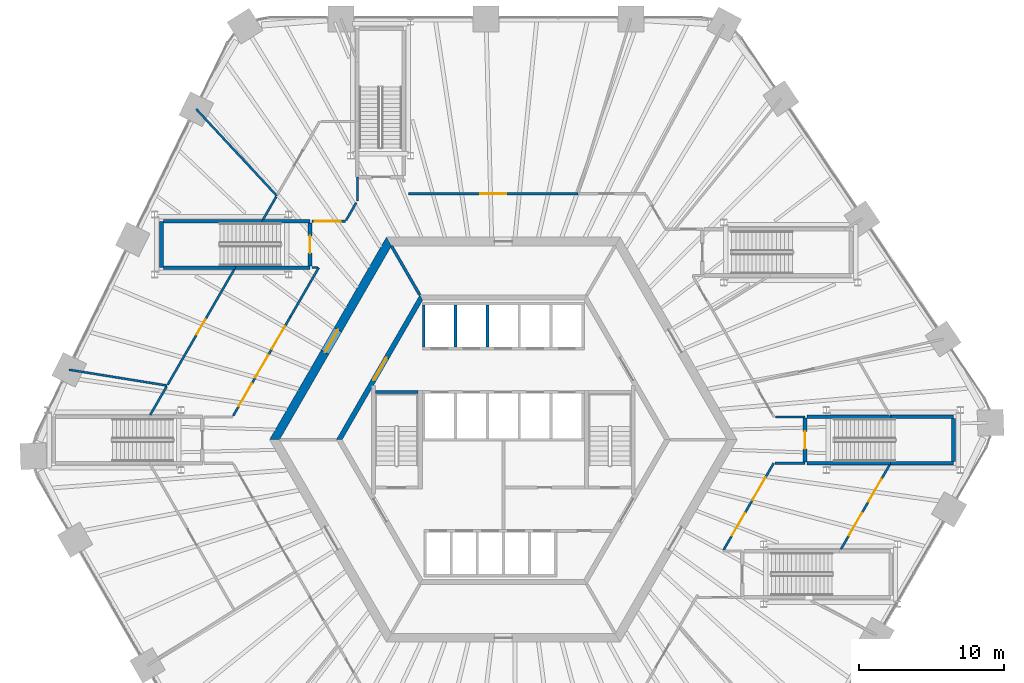
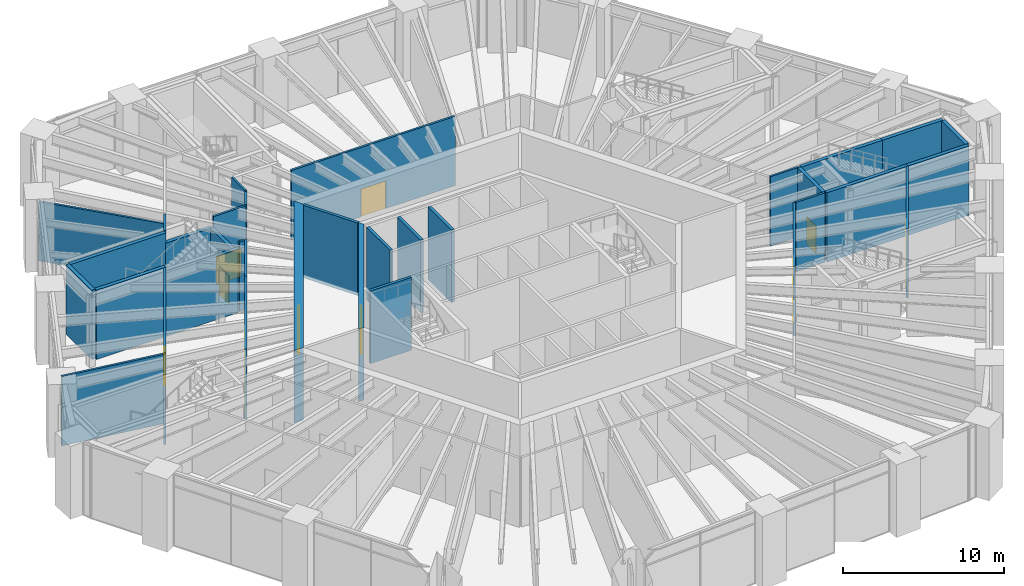
# One storey, part 23 of 30: 35 walls, 14 doors, 14 openings.
"""IFC4 building model written with IfcOpenShell, lengths in metres."""

from ifc_helpers import new_model, si_unit, direction, frame, frame_2d, origin, place, context, subcontext, project, spatial, polyline, rectangle, outline, extrude, material, layer, layer_set, type_object, element, fill, save


model = new_model("IFC4")

# Units and contexts
model_context = context("Model", 3, precision=1e-05, world=origin(), true_north=direction((0.0, 1.0)))
body_context = subcontext(model_context, "Body", "Model", "MODEL_VIEW")
ifc_project = project(units=[si_unit("LENGTHUNIT", "METRE"), si_unit("AREAUNIT", "SQUARE_METRE"), si_unit("VOLUMEUNIT", "CUBIC_METRE"), si_unit("PLANEANGLEUNIT", "RADIAN"), si_unit("MASSUNIT", "GRAM", prefix="KILO")], contexts=[model_context])

# Site, building, storey
site_placement = place(None, origin())
site = spatial("IfcSite", under=ifc_project, at=site_placement, CompositionType="ELEMENT")
building_placement = place(site_placement, origin())
building = spatial("IfcBuilding", under=site, at=building_placement, Name="Tarnside Tower", CompositionType="ELEMENT")
storey_placement = place(building_placement, frame((0.0, 0.0, 20.5)))
storey = spatial("IfcBuildingStorey", under=building, at=storey_placement, Name="L03", CompositionType="ELEMENT", Elevation=20.5)

# Wall, opening, door
ifc_material_1 = material(Name="Concrete C50/60", Category="concrete")
ifc_layer_1 = layer(ifc_material_1, 0.35009765625)
ifc_layer_set_1 = layer_set([ifc_layer_1], Name="Core block wall 350 C50/60")
wall_type_1 = type_object("IfcWallType", Name="Core block wall 350 C50/60", PredefinedType="SHEAR", material=ifc_layer_set_1)
wall_1_placement = place(storey_placement, frame((-5.672607421875, 9.824951171875, -0.25), z_axis=(0.0, 0.0, 1.0), x_axis=(-0.499995046907, -0.866028263435, 0.0)))
wall_1 = element("IfcWall", 1, at=wall_1_placement, inside=storey, type_object=wall_type_1, Name="L03 core block wall face 2", PredefinedType="SHEAR", context=body_context, shape_type="SweptSolid", body=[
    extrude(outline(polyline([(-0.10107421875, -0.175048828125), (11.44580078125, -0.175048828125), (11.24365234375, 0.175048828125), (0.10107421875, 0.175048828125), (-0.10107421875, -0.175048828125)])), origin(), (0.0, 0.0, 1.0), 5.5),
])
opening_1_placement = place(wall_1_placement, frame((4.80126953125, 0.0, 0.25)))
opening_1 = element("IfcOpeningElement", 2, at=opening_1_placement, cuts=wall_1, Name="Opening CD-LOB", PredefinedType="OPENING", context=body_context, shape_type="SweptSolid", body=[
    extrude(rectangle(XDim=1.800048828125, YDim=2.39990234375, at=frame_2d((0.89990234375, 1.199951171875))), frame((0.0, 0.18505859375, 0.0), z_axis=(0.0, -1.0, 0.0), x_axis=(1.0, 0.0, 0.0)), (0.0, 0.0, 1.0), 0.3701171875),
])
ifc_material_2 = material(Name="Steel fire door", Category="steel")
door_type_1 = type_object("IfcDoorType", Name="Lobby double door FD30S 1800x2400", OperationType="NOTDEFINED", PredefinedType="DOOR", material=ifc_material_2)
door_1_placement = place(opening_1_placement, origin())
door_1 = element("IfcDoor", 3, at=door_1_placement, inside=storey, type_object=door_type_1, Name="L03 lobby block door P1", OperationType="DOUBLE_DOOR_SINGLE_SWING", OverallHeight=2.39990234375, OverallWidth=1.800048828125, PredefinedType="DOOR", context=body_context, shape_type="SweptSolid", body=[
    extrude(rectangle(XDim=1.800048828125, YDim=2.39990234375, at=frame_2d((0.89990234375, 1.199951171875))), frame((0.0, 0.02490234375, 0.0), z_axis=(0.0, -1.0, 0.0), x_axis=(1.0, 0.0, 0.0)), (0.0, 0.0, 1.0), 0.050048828125),
])
fill(opening_1, door_1)

ifc_material_3 = material(Name="Concrete C80/95", Category="concrete")
ifc_layer_2 = layer(ifc_material_3, 0.60009765625)
ifc_layer_set_2 = layer_set([ifc_layer_2], Name="Core wall Z1 600 C80/95")
wall_type_2 = type_object("IfcWallType", Name="Core wall Z1 600 C80/95", PredefinedType="SHEAR", material=ifc_layer_set_2)
wall_2_placement = place(storey_placement, frame((-7.90966796875, 13.699951171875, -0.25), z_axis=(0.0, 0.0, 1.0), x_axis=(-0.499999880136, -0.866025472988, 0.0)))
wall_2 = element("IfcWall", 4, at=wall_2_placement, inside=storey, type_object=wall_type_2, Name="L03 core wall face 2", PredefinedType="SHEAR", context=body_context, shape_type="SweptSolid", body=[
    extrude(outline(polyline([(-0.17333984375, -0.300048828125), (15.99267578125, -0.300048828125), (15.64599609375, 0.300048828125), (0.17333984375, 0.300048828125), (-0.17333984375, -0.300048828125)])), origin(), (0.0, 0.0, 1.0), 5.5),
])
opening_2_placement = place(wall_2_placement, frame((7.03857421875, 0.0, 0.25)))
opening_2 = element("IfcOpeningElement", 5, at=opening_2_placement, cuts=wall_2, Name="Opening CD-LOB", PredefinedType="OPENING", context=body_context, shape_type="SweptSolid", body=[
    extrude(rectangle(XDim=1.800048828125, YDim=2.39990234375, at=frame_2d((0.89990234375, 1.199951171875))), frame((0.0, 0.31005859375, 0.0), z_axis=(0.0, -1.0, 0.0), x_axis=(1.0, 0.0, 0.0)), (0.0, 0.0, 1.0), 0.6201171875),
])
door_2_placement = place(opening_2_placement, origin())
door_2 = element("IfcDoor", 6, at=door_2_placement, inside=storey, type_object=door_type_1, Name="L03 core door P1", OperationType="DOUBLE_DOOR_SINGLE_SWING", OverallHeight=2.39990234375, OverallWidth=1.800048828125, PredefinedType="DOOR", context=body_context, shape_type="SweptSolid", body=[
    extrude(rectangle(XDim=1.800048828125, YDim=2.39990234375, at=frame_2d((0.89990234375, 1.199951171875))), frame((0.0, 0.02490234375, 0.0), z_axis=(0.0, -1.0, 0.0), x_axis=(1.0, 0.0, 0.0)), (0.0, 0.0, 1.0), 0.050048828125),
])
fill(opening_2, door_2)

# Walls
ifc_material_4 = material(Name="Concrete C40/50", Category="concrete")
ifc_layer_3 = layer(ifc_material_4, 0.199951171875)
ifc_layer_set_3 = layer_set([ifc_layer_3], Name="Lift shaft wall 200 C40/50")
wall_type_3 = type_object("IfcWallType", Name="Lift shaft wall 200 C40/50", PredefinedType="SHEAR", material=ifc_layer_set_3)
for number, where, z_axis, x_axis, name in (
    (7, (-5.5, 6.39990234375, -0.25), (0.0, 0.0, 1.0), (0.0, 1.0, 0.0), "L03 lift shaft partition R11"),
    (8, (-3.300048828125, 6.39990234375, -0.25), (0.0, 0.0, 1.0), (0.0, 1.0, 0.0), "L03 lift shaft partition R12"),
    (9, (-1.10009765625, 6.39990234375, -0.25), (0.0, 0.0, 1.0), (0.0, 1.0, 0.0), "L03 lift shaft partition R13"),
):
    element("IfcWall", number, at=place(storey_placement, frame(where, z_axis=z_axis, x_axis=x_axis)), inside=storey, type_object=wall_type_3, Name=name, PredefinedType="SHEAR", context=body_context, shape_type="SweptSolid", body=[
        extrude(rectangle(XDim=2.900146484375, YDim=0.199951171875, at=frame_2d((1.4501953125, 0.0))), origin(), (0.0, 0.0, 1.0), 5.5),
    ])
wall_3_placement = place(storey_placement, frame((-5.7734375, 10.0, -0.25), z_axis=(0.0, 0.0, 1.0), x_axis=(-0.500038251005, 0.86600331843, 0.0)))
element("IfcWall", 10, at=wall_3_placement, inside=storey, type_object=wall_type_3, Name="L03 core partition AR120", PredefinedType="SHEAR", context=body_context, shape_type="SweptSolid", body=[
    extrude(rectangle(XDim=3.926025390625, YDim=0.199951171875, at=frame_2d((1.962890625, 0.0))), origin(), (0.0, 0.0, 1.0), 5.5),
])
wall_4_placement = place(storey_placement, frame((-8.85009765625, 3.300048828125, -0.25), z_axis=(0.0, 0.0, 1.0), x_axis=(1.0, 0.0, 0.0)))
element("IfcWall", 11, at=wall_4_placement, inside=storey, type_object=wall_type_3, Name="L03 stair 2 enclosure cap wall n", PredefinedType="SHEAR", context=body_context, shape_type="SweptSolid", body=[
    extrude(rectangle(XDim=2.9501953125, YDim=0.199951171875, at=frame_2d((1.47509765625, 0.0))), origin(), (0.0, 0.0, 1.0), 5.5),
])
ifc_material_5 = material(Name="Gypsum board")
ifc_layer_4 = layer(ifc_material_5, 0.14990234375)
ifc_layer_set_4 = layer_set([ifc_layer_4], Name="Partition 150 gypsum board on metal stud")
wall_type_4 = type_object("IfcWallType", Name="Partition 150 gypsum board on metal stud", PredefinedType="PARTITIONING", material=ifc_layer_set_4)
wall_5_placement = place(storey_placement, frame((-30.01806640625, 4.8359375, 0.0), z_axis=(0.0, 0.0, 1.0), x_axis=(0.987261315122, -0.159107182941, 0.0)))
element("IfcWall", 12, at=wall_5_placement, inside=storey, type_object=wall_type_4, Name="Partition 002", PredefinedType="PARTITIONING", context=body_context, shape_type="SweptSolid", body=[
    extrude(rectangle(XDim=6.863525390625, YDim=0.14990234375, at=frame_2d((3.431640625, 0.0))), origin(), (0.0, 0.0, 1.0), 5.25),
])
wall_6_placement = place(storey_placement, frame((-23.2822265625, 3.674560546875, 0.0), z_axis=(0.0, 0.0, 1.0), x_axis=(-0.49987077196, -0.866100000774, 0.0)))
element("IfcWall", 13, at=wall_6_placement, inside=storey, type_object=wall_type_4, Name="Partition 009", PredefinedType="PARTITIONING", context=body_context, shape_type="SweptSolid", body=[
    extrude(rectangle(XDim=2.27978515625, YDim=0.14990234375, at=frame_2d((1.139892578125, 0.0))), origin(), (0.0, 0.0, 1.0), 5.25),
])
wall_7_placement = place(storey_placement, frame((-21.22998046875, 22.85400390625, 0.0), z_axis=(0.0, 0.0, 1.0), x_axis=(0.680630925451, -0.732626469164, 0.0)))
element("IfcWall", 14, at=wall_7_placement, inside=storey, type_object=wall_type_4, Name="Partition 010", PredefinedType="PARTITIONING", context=body_context, shape_type="SweptSolid", body=[
    extrude(rectangle(XDim=8.1748046875, YDim=0.14990234375, at=frame_2d((4.08740234375, 0.0))), origin(), (0.0, 0.0, 1.0), 4.48779296875),
])

# Wall, opening, door
wall_8_placement = place(storey_placement, frame((-23.201904296875, 3.8134765625, 0.0), z_axis=(0.0, 0.0, 1.0), x_axis=(0.500012104326, 0.866018415236, 0.0)))
wall_8 = element("IfcWall", 15, at=wall_8_placement, inside=storey, type_object=wall_type_4, Name="Partition 018", PredefinedType="PARTITIONING", context=body_context, shape_type="SweptSolid", body=[
    extrude(rectangle(XDim=9.193115234375, YDim=0.14990234375, at=frame_2d((4.5966796875, 0.0))), origin(), (0.0, 0.0, 1.0), 5.25),
])
opening_3_placement = place(wall_8_placement, frame((3.99658203125, 0.0, 0.0)))
opening_3 = element("IfcOpeningElement", 16, at=opening_3_placement, cuts=wall_8, Name="Opening D1200F30", PredefinedType="OPENING", context=body_context, shape_type="SweptSolid", body=[
    extrude(rectangle(XDim=1.199951171875, YDim=2.10009765625, at=frame_2d((0.60009765625, 1.050048828125))), frame((0.0, 0.0849609375, 0.0), z_axis=(0.0, -1.0, 0.0), x_axis=(1.0, 0.0, 0.0)), (0.0, 0.0, 1.0), 0.169921875),
])
ifc_material_6 = material(Name="Timber door leaf", Category="wood")
door_type_2 = type_object("IfcDoorType", Name="Door 1200 x 2100 single leaf FD30S fire door", OperationType="NOTDEFINED", PredefinedType="DOOR", material=ifc_material_6)
door_3_placement = place(opening_3_placement, origin())
door_3 = element("IfcDoor", 17, at=door_3_placement, inside=storey, type_object=door_type_2, Name="Door L03-06", OperationType="SINGLE_SWING_LEFT", OverallHeight=2.10009765625, OverallWidth=1.199951171875, PredefinedType="DOOR", context=body_context, shape_type="SweptSolid", body=[
    extrude(rectangle(XDim=1.199951171875, YDim=2.10009765625, at=frame_2d((0.60009765625, 1.050048828125))), frame((0.0, 0.02490234375, 0.0), z_axis=(0.0, -1.0, 0.0), x_axis=(1.0, 0.0, 0.0)), (0.0, 0.0, 1.0), 0.050048828125),
])
fill(opening_3, door_3)

# Wall
wall_9_placement = place(storey_placement, frame((-15.705322265625, 16.797119140625, 0.0), z_axis=(0.0, 0.0, 1.0), x_axis=(-0.499943671218, -0.86605792278, 0.0)))
element("IfcWall", 18, at=wall_9_placement, inside=storey, type_object=wall_type_4, Name="Partition 022", PredefinedType="PARTITIONING", context=body_context, shape_type="SweptSolid", body=[
    extrude(rectangle(XDim=1.815185546875, YDim=0.14990234375, at=frame_2d((0.90771484375, 0.0))), origin(), (0.0, 0.0, 1.0), 5.25),
])

# Wall, openings, doors
wall_10_placement = place(storey_placement, frame((-14.721923828125, 8.5, 0.0), z_axis=(0.0, 0.0, 1.0), x_axis=(-0.500085786821, -0.865975869075, 0.0)))
wall_10 = element("IfcWall", 19, at=wall_10_placement, inside=storey, type_object=wall_type_4, Name="Partition 023", PredefinedType="PARTITIONING", context=body_context, shape_type="SweptSolid", body=[
    extrude(rectangle(XDim=7.91015625, YDim=0.14990234375, at=frame_2d((3.955078125, 0.0))), origin(), (0.0, 0.0, 1.0), 5.25),
])
opening_4_placement = place(wall_10_placement, frame((0.77099609375, 0.0, 0.0)))
opening_4 = element("IfcOpeningElement", 20, at=opening_4_placement, cuts=wall_10, Name="Opening D1800F30", PredefinedType="OPENING", context=body_context, shape_type="SweptSolid", body=[
    extrude(rectangle(XDim=1.800048828125, YDim=2.10009765625, at=frame_2d((0.89990234375, 1.050048828125))), frame((0.0, 0.0849609375, 0.0), z_axis=(0.0, -1.0, 0.0), x_axis=(1.0, 0.0, 0.0)), (0.0, 0.0, 1.0), 0.169921875),
])
opening_5_placement = place(wall_10_placement, frame((3.05517578125, 0.0, 0.0)))
opening_5 = element("IfcOpeningElement", 21, at=opening_5_placement, cuts=wall_10, Name="Opening D1800F30", PredefinedType="OPENING", context=body_context, shape_type="SweptSolid", body=[
    extrude(rectangle(XDim=1.800048828125, YDim=2.10009765625, at=frame_2d((0.89990234375, 1.050048828125))), frame((0.0, 0.0849609375, 0.0), z_axis=(0.0, -1.0, 0.0), x_axis=(1.0, 0.0, 0.0)), (0.0, 0.0, 1.0), 0.169921875),
])
opening_6_placement = place(wall_10_placement, frame((5.339111328125, 0.0, 0.0)))
opening_6 = element("IfcOpeningElement", 22, at=opening_6_placement, cuts=wall_10, Name="Opening D1800F30", PredefinedType="OPENING", context=body_context, shape_type="SweptSolid", body=[
    extrude(rectangle(XDim=1.800048828125, YDim=2.10009765625, at=frame_2d((0.89990234375, 1.050048828125))), frame((0.0, 0.0849609375, 0.0), z_axis=(0.0, -1.0, 0.0), x_axis=(1.0, 0.0, 0.0)), (0.0, 0.0, 1.0), 0.169921875),
])
door_type_3 = type_object("IfcDoorType", Name="Door pair 1800 x 2100 FD30S fire door", OperationType="NOTDEFINED", PredefinedType="DOOR", material=ifc_material_6)
door_4_placement = place(opening_4_placement, origin())
door_4 = element("IfcDoor", 23, at=door_4_placement, inside=storey, type_object=door_type_3, Name="Door L03-07", OperationType="DOUBLE_DOOR_SINGLE_SWING", OverallHeight=2.10009765625, OverallWidth=1.800048828125, PredefinedType="DOOR", context=body_context, shape_type="SweptSolid", body=[
    extrude(rectangle(XDim=1.800048828125, YDim=2.10009765625, at=frame_2d((0.89990234375, 1.050048828125))), frame((0.0, 0.02490234375, 0.0), z_axis=(0.0, -1.0, 0.0), x_axis=(1.0, 0.0, 0.0)), (0.0, 0.0, 1.0), 0.050048828125),
])
fill(opening_4, door_4)
door_5_placement = place(opening_5_placement, origin())
door_5 = element("IfcDoor", 24, at=door_5_placement, inside=storey, type_object=door_type_3, Name="Door L03-08", OperationType="DOUBLE_DOOR_SINGLE_SWING", OverallHeight=2.10009765625, OverallWidth=1.800048828125, PredefinedType="DOOR", context=body_context, shape_type="SweptSolid", body=[
    extrude(rectangle(XDim=1.800048828125, YDim=2.10009765625, at=frame_2d((0.89990234375, 1.050048828125))), frame((0.0, 0.02490234375, 0.0), z_axis=(0.0, -1.0, 0.0), x_axis=(1.0, 0.0, 0.0)), (0.0, 0.0, 1.0), 0.050048828125),
])
fill(opening_5, door_5)
door_6_placement = place(opening_6_placement, origin())
door_6 = element("IfcDoor", 25, at=door_6_placement, inside=storey, type_object=door_type_3, Name="Door L03-09", OperationType="DOUBLE_DOOR_SINGLE_SWING", OverallHeight=2.10009765625, OverallWidth=1.800048828125, PredefinedType="DOOR", context=body_context, shape_type="SweptSolid", body=[
    extrude(rectangle(XDim=1.800048828125, YDim=2.10009765625, at=frame_2d((0.89990234375, 1.050048828125))), frame((0.0, 0.02490234375, 0.0), z_axis=(0.0, -1.0, 0.0), x_axis=(1.0, 0.0, 0.0)), (0.0, 0.0, 1.0), 0.050048828125),
])
fill(opening_6, door_6)

# Wall, opening, door
wall_11_placement = place(storey_placement, frame((-10.912109375, 15.10009765625, 0.0), z_axis=(0.0, 0.0, 1.0), x_axis=(-1.0, 0.0, 0.0)))
wall_11 = element("IfcWall", 26, at=wall_11_placement, inside=storey, type_object=wall_type_4, Name="Partition 027", PredefinedType="PARTITIONING", context=body_context, shape_type="SweptSolid", body=[
    extrude(rectangle(XDim=2.327880859375, YDim=0.14990234375, at=frame_2d((1.1640625, 0.0))), origin(), (0.0, 0.0, 1.0), 5.25),
])
opening_7_placement = place(wall_11_placement, frame((0.315185546875, 0.0, 0.0)))
opening_7 = element("IfcOpeningElement", 27, at=opening_7_placement, cuts=wall_11, Name="Opening D1800F30", PredefinedType="OPENING", context=body_context, shape_type="SweptSolid", body=[
    extrude(rectangle(XDim=1.800048828125, YDim=2.10009765625, at=frame_2d((0.89990234375, 1.050048828125))), frame((0.0, 0.0849609375, 0.0), z_axis=(0.0, -1.0, 0.0), x_axis=(1.0, 0.0, 0.0)), (0.0, 0.0, 1.0), 0.169921875),
])
door_7_placement = place(opening_7_placement, origin())
door_7 = element("IfcDoor", 28, at=door_7_placement, inside=storey, type_object=door_type_3, Name="Door L03-12", OperationType="DOUBLE_DOOR_SINGLE_SWING", OverallHeight=2.10009765625, OverallWidth=1.800048828125, PredefinedType="DOOR", context=body_context, shape_type="SweptSolid", body=[
    extrude(rectangle(XDim=1.800048828125, YDim=2.10009765625, at=frame_2d((0.89990234375, 1.050048828125))), frame((0.0, 0.02490234375, 0.0), z_axis=(0.0, -1.0, 0.0), x_axis=(1.0, 0.0, 0.0)), (0.0, 0.0, 1.0), 0.050048828125),
])
fill(opening_7, door_7)

# Walls
wall_12_placement = place(storey_placement, frame((-12.759033203125, 11.89990234375, 0.0), z_axis=(0.0, 0.0, 1.0), x_axis=(-0.49999161165, -0.866030246746, 0.0)))
element("IfcWall", 29, at=wall_12_placement, inside=storey, type_object=wall_type_4, Name="Partition 028", PredefinedType="PARTITIONING", context=body_context, shape_type="SweptSolid", body=[
    extrude(rectangle(XDim=3.92578125, YDim=0.14990234375, at=frame_2d((1.962890625, 0.0))), origin(), (0.0, 0.0, 1.0), 5.25),
])
wall_13_placement = place(storey_placement, frame((-12.845703125, 11.89990234375, 0.0), z_axis=(0.0, 0.0, 1.0), x_axis=(-1.0, 0.0, 0.0)))
element("IfcWall", 30, at=wall_13_placement, inside=storey, type_object=wall_type_4, Name="Partition 029", PredefinedType="PARTITIONING", context=body_context, shape_type="SweptSolid", body=[
    extrude(rectangle(XDim=0.394287109375, YDim=0.14990234375, at=frame_2d((0.197265625, 0.0))), origin(), (0.0, 0.0, 1.0), 5.25),
])
wall_14_placement = place(storey_placement, frame((-10.090087890625, 16.50390625, 0.0), z_axis=(0.0, 0.0, 1.0), x_axis=(0.0, 1.0, 0.0)))
element("IfcWall", 31, at=wall_14_placement, inside=storey, type_object=wall_type_4, Name="Partition 033", PredefinedType="PARTITIONING", context=body_context, shape_type="SweptSolid", body=[
    extrude(rectangle(XDim=1.651123046875, YDim=0.14990234375, at=frame_2d((0.82568359375, 0.0))), origin(), (0.0, 0.0, 1.0), 5.25),
])
wall_15_placement = place(storey_placement, frame((-10.1650390625, 16.39404296875, 0.0), z_axis=(0.0, 0.0, 1.0), x_axis=(-0.499907644242, -0.866078718841, 0.0)))
element("IfcWall", 32, at=wall_15_placement, inside=storey, type_object=wall_type_4, Name="Partition 034", PredefinedType="PARTITIONING", context=body_context, shape_type="SweptSolid", body=[
    extrude(rectangle(XDim=1.407470703125, YDim=0.14990234375, at=frame_2d((0.70361328125, 0.0))), origin(), (0.0, 0.0, 1.0), 5.25),
])

# Wall, opening, door
wall_16_placement = place(storey_placement, frame((-6.56298828125, 17.0, 0.0), z_axis=(0.0, 0.0, 1.0), x_axis=(1.0, 0.0, 0.0)))
wall_16 = element("IfcWall", 33, at=wall_16_placement, inside=storey, type_object=wall_type_4, Name="Partition 050", PredefinedType="PARTITIONING", context=body_context, shape_type="SweptSolid", body=[
    extrude(rectangle(XDim=11.7109375, YDim=0.14990234375, at=frame_2d((5.85546875, 0.0))), origin(), (0.0, 0.0, 1.0), 5.25),
])
opening_8_placement = place(wall_16_placement, frame((4.95556640625, 0.0, 0.0)))
opening_8 = element("IfcOpeningElement", 34, at=opening_8_placement, cuts=wall_16, Name="Opening D1800F30", PredefinedType="OPENING", context=body_context, shape_type="SweptSolid", body=[
    extrude(rectangle(XDim=1.800048828125, YDim=2.10009765625, at=frame_2d((0.89990234375, 1.050048828125))), frame((0.0, 0.0849609375, 0.0), z_axis=(0.0, -1.0, 0.0), x_axis=(1.0, 0.0, 0.0)), (0.0, 0.0, 1.0), 0.169921875),
])
door_8_placement = place(opening_8_placement, origin())
door_8 = element("IfcDoor", 35, at=door_8_placement, inside=storey, type_object=door_type_3, Name="Door L03-19", OperationType="DOUBLE_DOOR_SINGLE_SWING", OverallHeight=2.10009765625, OverallWidth=1.800048828125, PredefinedType="DOOR", context=body_context, shape_type="SweptSolid", body=[
    extrude(rectangle(XDim=1.800048828125, YDim=2.10009765625, at=frame_2d((0.89990234375, 1.050048828125))), frame((0.0, 0.02490234375, 0.0), z_axis=(0.0, -1.0, 0.0), x_axis=(1.0, 0.0, 0.0)), (0.0, 0.0, 1.0), 0.050048828125),
])
fill(opening_8, door_8)

# Wall, openings, doors
wall_17_placement = place(storey_placement, frame((15.227294921875, -7.625, 0.0), z_axis=(0.0, 0.0, 1.0), x_axis=(0.500053906551, 0.865994278585, 0.0)))
wall_17 = element("IfcWall", 36, at=wall_17_placement, inside=storey, type_object=wall_type_4, Name="Partition 067", PredefinedType="PARTITIONING", context=body_context, shape_type="SweptSolid", body=[
    extrude(rectangle(XDim=6.928466796875, YDim=0.14990234375, at=frame_2d((3.46435546875, 0.0))), origin(), (0.0, 0.0, 1.0), 5.25),
])
opening_9_placement = place(wall_17_placement, frame((1.145751953125, 0.0, 0.0)))
opening_9 = element("IfcOpeningElement", 37, at=opening_9_placement, cuts=wall_17, Name="Opening D1800F30", PredefinedType="OPENING", context=body_context, shape_type="SweptSolid", body=[
    extrude(rectangle(XDim=1.800048828125, YDim=2.10009765625, at=frame_2d((0.89990234375, 1.050048828125))), frame((0.0, 0.0849609375, 0.0), z_axis=(0.0, -1.0, 0.0), x_axis=(1.0, 0.0, 0.0)), (0.0, 0.0, 1.0), 0.169921875),
])
opening_10_placement = place(wall_17_placement, frame((3.98291015625, 0.0, 0.0)))
opening_10 = element("IfcOpeningElement", 38, at=opening_10_placement, cuts=wall_17, Name="Opening D1800F30", PredefinedType="OPENING", context=body_context, shape_type="SweptSolid", body=[
    extrude(rectangle(XDim=1.800048828125, YDim=2.10009765625, at=frame_2d((0.89990234375, 1.050048828125))), frame((0.0, 0.0849609375, 0.0), z_axis=(0.0, -1.0, 0.0), x_axis=(1.0, 0.0, 0.0)), (0.0, 0.0, 1.0), 0.169921875),
])
door_9_placement = place(opening_9_placement, origin())
door_9 = element("IfcDoor", 39, at=door_9_placement, inside=storey, type_object=door_type_3, Name="Door L03-26", OperationType="DOUBLE_DOOR_SINGLE_SWING", OverallHeight=2.10009765625, OverallWidth=1.800048828125, PredefinedType="DOOR", context=body_context, shape_type="SweptSolid", body=[
    extrude(rectangle(XDim=1.800048828125, YDim=2.10009765625, at=frame_2d((0.89990234375, 1.050048828125))), frame((0.0, 0.02490234375, 0.0), z_axis=(0.0, -1.0, 0.0), x_axis=(1.0, 0.0, 0.0)), (0.0, 0.0, 1.0), 0.050048828125),
])
fill(opening_9, door_9)
door_10_placement = place(opening_10_placement, origin())
door_10 = element("IfcDoor", 40, at=door_10_placement, inside=storey, type_object=door_type_3, Name="Door L03-27", OperationType="DOUBLE_DOOR_SINGLE_SWING", OverallHeight=2.10009765625, OverallWidth=1.800048828125, PredefinedType="DOOR", context=body_context, shape_type="SweptSolid", body=[
    extrude(rectangle(XDim=1.800048828125, YDim=2.10009765625, at=frame_2d((0.89990234375, 1.050048828125))), frame((0.0, 0.02490234375, 0.0), z_axis=(0.0, -1.0, 0.0), x_axis=(1.0, 0.0, 0.0)), (0.0, 0.0, 1.0), 0.050048828125),
])
fill(opening_10, door_10)

# Walls
wall_18_placement = place(storey_placement, frame((18.8076171875, 1.574951171875, 0.0), z_axis=(0.0, 0.0, 1.0), x_axis=(1.0, 0.0, 0.0)))
element("IfcWall", 41, at=wall_18_placement, inside=storey, type_object=wall_type_4, Name="Partition 076", PredefinedType="PARTITIONING", context=body_context, shape_type="SweptSolid", body=[
    extrude(rectangle(XDim=2.04736328125, YDim=0.14990234375, at=frame_2d((1.023681640625, 0.0))), origin(), (0.0, 0.0, 1.0), 5.25),
])
wall_19_placement = place(storey_placement, frame((20.85498046875, -1.625, 0.0), z_axis=(0.0, 0.0, 1.0), x_axis=(-1.0, 0.0, 0.0)))
element("IfcWall", 42, at=wall_19_placement, inside=storey, type_object=wall_type_4, Name="Partition 079", PredefinedType="PARTITIONING", context=body_context, shape_type="SweptSolid", body=[
    extrude(rectangle(XDim=2.076416015625, YDim=0.14990234375, at=frame_2d((1.0380859375, 0.0))), origin(), (0.0, 0.0, 1.0), 5.25),
])

# Wall, openings, doors
wall_20_placement = place(storey_placement, frame((26.702880859375, -1.75, 0.0), z_axis=(0.0, 0.0, 1.0), x_axis=(-0.500081661045, -0.865978251624, 0.0)))
wall_20 = element("IfcWall", 43, at=wall_20_placement, inside=storey, type_object=wall_type_4, Name="Partition 091", PredefinedType="PARTITIONING", context=body_context, shape_type="SweptSolid", body=[
    extrude(rectangle(XDim=6.7265625, YDim=0.14990234375, at=frame_2d((3.36328125, 0.0))), origin(), (0.0, 0.0, 1.0), 5.25),
])
opening_11_placement = place(wall_20_placement, frame((1.105224609375, 0.0, 0.0)))
opening_11 = element("IfcOpeningElement", 44, at=opening_11_placement, cuts=wall_20, Name="Opening D1800F30", PredefinedType="OPENING", context=body_context, shape_type="SweptSolid", body=[
    extrude(rectangle(XDim=1.800048828125, YDim=2.10009765625, at=frame_2d((0.89990234375, 1.050048828125))), frame((0.0, 0.0849609375, 0.0), z_axis=(0.0, -1.0, 0.0), x_axis=(1.0, 0.0, 0.0)), (0.0, 0.0, 1.0), 0.169921875),
])
opening_12_placement = place(wall_20_placement, frame((3.821044921875, 0.0, 0.0)))
opening_12 = element("IfcOpeningElement", 45, at=opening_12_placement, cuts=wall_20, Name="Opening D1800F30", PredefinedType="OPENING", context=body_context, shape_type="SweptSolid", body=[
    extrude(rectangle(XDim=1.800048828125, YDim=2.10009765625, at=frame_2d((0.89990234375, 1.050048828125))), frame((0.0, 0.0849609375, 0.0), z_axis=(0.0, -1.0, 0.0), x_axis=(1.0, 0.0, 0.0)), (0.0, 0.0, 1.0), 0.169921875),
])
door_11_placement = place(opening_11_placement, origin())
door_11 = element("IfcDoor", 46, at=door_11_placement, inside=storey, type_object=door_type_3, Name="Door L03-33", OperationType="DOUBLE_DOOR_SINGLE_SWING", OverallHeight=2.10009765625, OverallWidth=1.800048828125, PredefinedType="DOOR", context=body_context, shape_type="SweptSolid", body=[
    extrude(rectangle(XDim=1.800048828125, YDim=2.10009765625, at=frame_2d((0.89990234375, 1.050048828125))), frame((0.0, 0.02490234375, 0.0), z_axis=(0.0, -1.0, 0.0), x_axis=(1.0, 0.0, 0.0)), (0.0, 0.0, 1.0), 0.050048828125),
])
fill(opening_11, door_11)
door_12_placement = place(opening_12_placement, origin())
door_12 = element("IfcDoor", 47, at=door_12_placement, inside=storey, type_object=door_type_3, Name="Door L03-34", OperationType="DOUBLE_DOOR_SINGLE_SWING", OverallHeight=2.10009765625, OverallWidth=1.800048828125, PredefinedType="DOOR", context=body_context, shape_type="SweptSolid", body=[
    extrude(rectangle(XDim=1.800048828125, YDim=2.10009765625, at=frame_2d((0.89990234375, 1.050048828125))), frame((0.0, 0.02490234375, 0.0), z_axis=(0.0, -1.0, 0.0), x_axis=(1.0, 0.0, 0.0)), (0.0, 0.0, 1.0), 0.050048828125),
])
fill(opening_12, door_12)

# Walls
ifc_material_7 = material(Name="Concrete C32/40", Category="concrete")
ifc_layer_5 = layer(ifc_material_7, 0.25)
ifc_layer_set_5 = layer_set([ifc_layer_5], Name="Wall 250 reinforced Concrete C32/40")
wall_type_5 = type_object("IfcWallType", Name="Wall 250 reinforced Concrete C32/40", PredefinedType="PARTITIONING", material=ifc_layer_set_5)
wall_21_placement = place(storey_placement, frame((-23.635009765625, 11.89990234375, 0.0), z_axis=(0.0, 0.0, 1.0), x_axis=(0.0, 1.0, 0.0)))
element("IfcWall", 48, at=wall_21_placement, inside=storey, type_object=wall_type_5, Name="Partition 007", PredefinedType="PARTITIONING", context=body_context, shape_type="SweptSolid", body=[
    extrude(rectangle(XDim=3.2001953125, YDim=0.25, at=frame_2d((1.60009765625, 0.0))), origin(), (0.0, 0.0, 1.0), 5.25),
])
wall_22_placement = place(storey_placement, frame((-23.510009765625, 15.10009765625, 0.0), z_axis=(0.0, 0.0, 1.0), x_axis=(1.0, 0.0, 0.0)))
element("IfcWall", 49, at=wall_22_placement, inside=storey, type_object=wall_type_5, Name="Partition 008", PredefinedType="PARTITIONING", context=body_context, shape_type="SweptSolid", body=[
    extrude(rectangle(XDim=6.8369140625, YDim=0.25, at=frame_2d((3.41845703125, 0.0))), origin(), (0.0, 0.0, 1.0), 5.25),
])
wall_23_placement = place(storey_placement, frame((-18.52294921875, 11.89990234375, 0.0), z_axis=(0.0, 0.0, 1.0), x_axis=(-1.0, 0.0, 0.0)))
element("IfcWall", 50, at=wall_23_placement, inside=storey, type_object=wall_type_5, Name="Partition 019", PredefinedType="PARTITIONING", context=body_context, shape_type="SweptSolid", body=[
    extrude(rectangle(XDim=4.987060546875, YDim=0.25, at=frame_2d((2.49365234375, 0.0))), origin(), (0.0, 0.0, 1.0), 5.25),
])
wall_24_placement = place(storey_placement, frame((-16.695068359375, 15.10009765625, 0.0), z_axis=(0.0, 0.0, 1.0), x_axis=(1.0, 0.0, 0.0)))
element("IfcWall", 51, at=wall_24_placement, inside=storey, type_object=wall_type_5, Name="Partition 020", PredefinedType="PARTITIONING", context=body_context, shape_type="SweptSolid", body=[
    extrude(rectangle(XDim=3.330078125, YDim=0.25, at=frame_2d((1.6650390625, 0.0))), origin(), (0.0, 0.0, 1.0), 4.48779296875),
])
wall_25_placement = place(storey_placement, frame((-13.364990234375, 11.89990234375, 0.0), z_axis=(0.0, 0.0, 1.0), x_axis=(-1.0, 0.0, 0.0)))
element("IfcWall", 52, at=wall_25_placement, inside=storey, type_object=wall_type_5, Name="Partition 025", PredefinedType="PARTITIONING", context=body_context, shape_type="SweptSolid", body=[
    extrude(rectangle(XDim=5.179931640625, YDim=0.25, at=frame_2d((2.58984375, 0.0))), origin(), (0.0, 0.0, 1.0), 4.796630859375),
])

# Wall, opening, door
wall_26_placement = place(storey_placement, frame((-13.364990234375, 14.97509765625, 0.0), z_axis=(0.0, 0.0, 1.0), x_axis=(0.0, -1.0, 0.0)))
wall_26 = element("IfcWall", 53, at=wall_26_placement, inside=storey, type_object=wall_type_5, Name="Partition 026", PredefinedType="PARTITIONING", context=body_context, shape_type="SweptSolid", body=[
    extrude(rectangle(XDim=2.9501953125, YDim=0.25, at=frame_2d((1.47509765625, 0.0))), origin(), (0.0, 0.0, 1.0), 4.48779296875),
])
opening_13_placement = place(wall_26_placement, frame((0.875, 0.0, 0.0)))
opening_13 = element("IfcOpeningElement", 54, at=opening_13_placement, cuts=wall_26, Name="Opening D1200F60S", PredefinedType="OPENING", context=body_context, shape_type="SweptSolid", body=[
    extrude(rectangle(XDim=1.199951171875, YDim=2.10009765625, at=frame_2d((0.60009765625, 1.050048828125))), frame((0.0, 0.135009765625, 0.0), z_axis=(0.0, -1.0, 0.0), x_axis=(1.0, 0.0, 0.0)), (0.0, 0.0, 1.0), 0.27001953125),
])
door_type_4 = type_object("IfcDoorType", Name="Door 1200 x 2100 single leaf FD60S fire door", OperationType="NOTDEFINED", PredefinedType="DOOR", material=ifc_material_6)
door_13_placement = place(opening_13_placement, origin())
door_13 = element("IfcDoor", 55, at=door_13_placement, inside=storey, type_object=door_type_4, Name="Door L03-11", OperationType="SINGLE_SWING_RIGHT", OverallHeight=2.10009765625, OverallWidth=1.199951171875, PredefinedType="DOOR", context=body_context, shape_type="SweptSolid", body=[
    extrude(rectangle(XDim=1.199951171875, YDim=2.10009765625, at=frame_2d((0.60009765625, 1.050048828125))), frame((0.0, 0.02490234375, 0.0), z_axis=(0.0, -1.0, 0.0), x_axis=(1.0, 0.0, 0.0)), (0.0, 0.0, 1.0), 0.050048828125),
])
fill(opening_13, door_13)

wall_27_placement = place(storey_placement, frame((20.85498046875, -1.550048828125, 0.0), z_axis=(0.0, 0.0, 1.0), x_axis=(0.0, 1.0, 0.0)))
wall_27 = element("IfcWall", 56, at=wall_27_placement, inside=storey, type_object=wall_type_5, Name="Partition 080", PredefinedType="PARTITIONING", context=body_context, shape_type="SweptSolid", body=[
    extrude(rectangle(XDim=3.050048828125, YDim=0.25, at=frame_2d((1.52490234375, 0.0))), origin(), (0.0, 0.0, 1.0), 5.25),
])
opening_14_placement = place(wall_27_placement, frame((0.925048828125, 0.0, 0.0)))
opening_14 = element("IfcOpeningElement", 57, at=opening_14_placement, cuts=wall_27, Name="Opening D1200F60S", PredefinedType="OPENING", context=body_context, shape_type="SweptSolid", body=[
    extrude(rectangle(XDim=1.199951171875, YDim=2.10009765625, at=frame_2d((0.60009765625, 1.050048828125))), frame((0.0, 0.135009765625, 0.0), z_axis=(0.0, -1.0, 0.0), x_axis=(1.0, 0.0, 0.0)), (0.0, 0.0, 1.0), 0.27001953125),
])
door_14_placement = place(opening_14_placement, origin())
door_14 = element("IfcDoor", 58, at=door_14_placement, inside=storey, type_object=door_type_4, Name="Door L03-31", OperationType="SINGLE_SWING_RIGHT", OverallHeight=2.10009765625, OverallWidth=1.199951171875, PredefinedType="DOOR", context=body_context, shape_type="SweptSolid", body=[
    extrude(rectangle(XDim=1.199951171875, YDim=2.10009765625, at=frame_2d((0.60009765625, 1.050048828125))), frame((0.0, 0.02490234375, 0.0), z_axis=(0.0, -1.0, 0.0), x_axis=(1.0, 0.0, 0.0)), (0.0, 0.0, 1.0), 0.050048828125),
])
fill(opening_14, door_14)

# Walls
wall_28_placement = place(storey_placement, frame((20.97998046875, 1.574951171875, 0.0), z_axis=(0.0, 0.0, 1.0), x_axis=(1.0, 0.0, 0.0)))
element("IfcWall", 59, at=wall_28_placement, inside=storey, type_object=wall_type_5, Name="Partition 081", PredefinedType="PARTITIONING", context=body_context, shape_type="SweptSolid", body=[
    extrude(rectangle(XDim=5.833984375, YDim=0.25, at=frame_2d((2.9169921875, 0.0))), origin(), (0.0, 0.0, 1.0), 5.25),
])
wall_29_placement = place(storey_placement, frame((26.784912109375, -1.625, 0.0), z_axis=(0.0, 0.0, 1.0), x_axis=(-1.0, 0.0, 0.0)))
element("IfcWall", 60, at=wall_29_placement, inside=storey, type_object=wall_type_5, Name="Partition 094", PredefinedType="PARTITIONING", context=body_context, shape_type="SweptSolid", body=[
    extrude(rectangle(XDim=5.804931640625, YDim=0.25, at=frame_2d((2.90234375, 0.0))), origin(), (0.0, 0.0, 1.0), 5.25),
])
wall_30_placement = place(storey_placement, frame((26.7919921875, 1.574951171875, 0.0), z_axis=(0.0, 0.0, 1.0), x_axis=(1.0, 0.0, 0.0)))
element("IfcWall", 61, at=wall_30_placement, inside=storey, type_object=wall_type_5, Name="Partition 095", PredefinedType="PARTITIONING", context=body_context, shape_type="SweptSolid", body=[
    extrude(rectangle(XDim=4.3330078125, YDim=0.25, at=frame_2d((2.16650390625, 0.0))), origin(), (0.0, 0.0, 1.0), 5.25),
])
wall_31_placement = place(storey_placement, frame((31.125, -1.625, 0.0), z_axis=(0.0, 0.0, 1.0), x_axis=(-1.0, 0.0, 0.0)))
element("IfcWall", 62, at=wall_31_placement, inside=storey, type_object=wall_type_5, Name="Partition 097", PredefinedType="PARTITIONING", context=body_context, shape_type="SweptSolid", body=[
    extrude(rectangle(XDim=4.362060546875, YDim=0.25, at=frame_2d((2.18115234375, 0.0))), origin(), (0.0, 0.0, 1.0), 5.25),
])
wall_32_placement = place(storey_placement, frame((31.125, 1.449951171875, 0.0), z_axis=(0.0, 0.0, 1.0), x_axis=(0.0, -1.0, 0.0)))
element("IfcWall", 63, at=wall_32_placement, inside=storey, type_object=wall_type_5, Name="Partition 098", PredefinedType="PARTITIONING", context=body_context, shape_type="SweptSolid", body=[
    extrude(rectangle(XDim=2.949951171875, YDim=0.25, at=frame_2d((1.47509765625, 0.0))), origin(), (0.0, 0.0, 1.0), 5.25),
])

save(model, "model.ifc")
